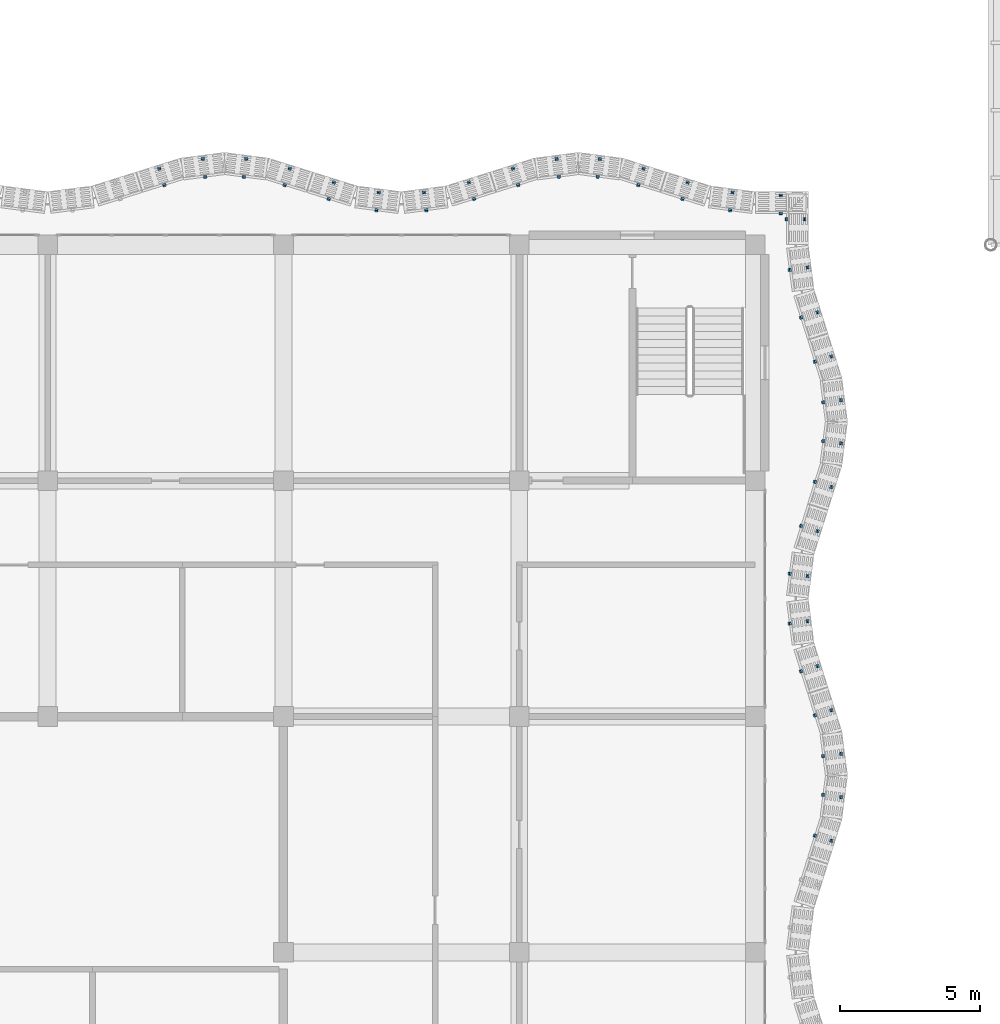
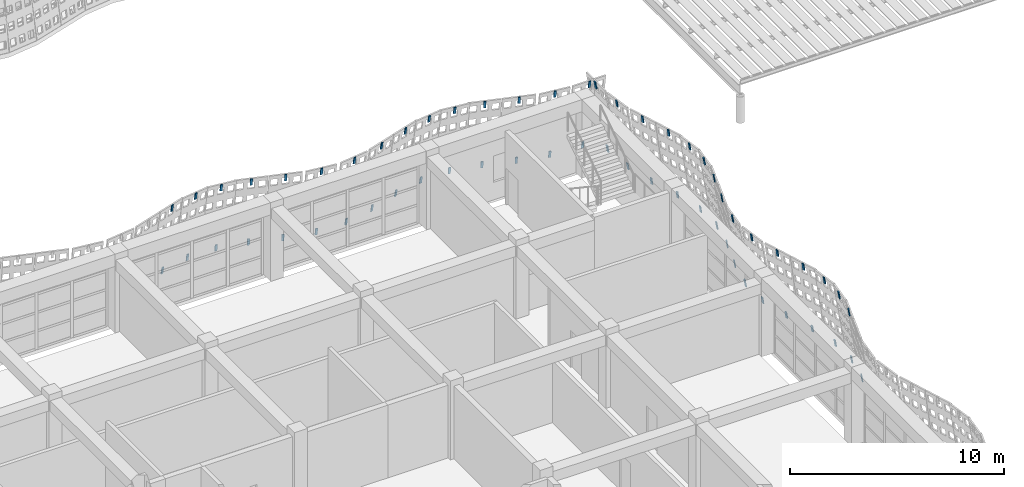
# One storey, part 103 of 162: 60 discrete accessories.
"""IFC4 building model written with IfcOpenShell, lengths in metres."""

from ifc_helpers import new_model, si_unit, direction, frame, origin, origin_2d, place, context, subcontext, project, spatial, rectangle, extrude, material, material_profile, profile_set, type_object, element, save


model = new_model("IFC4")

# Units and contexts
model_context = context("Model", 3, precision=1e-05, world=origin(), true_north=direction((0.0, 1.0)))
body_context = subcontext(model_context, "Body", "Model", "MODEL_VIEW")
ifc_project = project(units=[si_unit("LENGTHUNIT", "METRE"), si_unit("AREAUNIT", "SQUARE_METRE"), si_unit("VOLUMEUNIT", "CUBIC_METRE"), si_unit("PLANEANGLEUNIT", "RADIAN"), si_unit("MASSUNIT", "GRAM", prefix="KILO")], contexts=[model_context])

# Site, building, storey
site_placement = place(None, origin())
site = spatial("IfcSite", under=ifc_project, at=site_placement, CompositionType="ELEMENT")
building_placement = place(site_placement, origin())
building = spatial("IfcBuilding", under=site, at=building_placement, Name="Rain Tree Exposition and Congress Centre", CompositionType="ELEMENT")
storey_placement = place(building_placement, frame((0.0, 0.0, 6.0)))
storey = spatial("IfcBuildingStorey", under=building, at=storey_placement, Name="L01", CompositionType="ELEMENT", Elevation=6.0)

# Discrete accessories
ifc_material = material(Name="Steel S355J2", Category="steel")
ifc_material_profile = material_profile(ifc_material, rectangle(XDim=0.1201171875, YDim=0.050048828125, at=origin_2d()), Name="Flat bar 120x50")
ifc_profile_set = profile_set([ifc_material_profile], Name="Steel S355J2")
discrete_accessory_type = type_object("IfcDiscreteAccessoryType", Name="Screen bracket 120x50", PredefinedType="BRACKET", material=ifc_profile_set)
discrete_accessory_1_placement = place(storey_placement, frame((52.5595703125, 29.35009765625, 3.85107421875), z_axis=(-0.150738237635, 0.047601548727, 0.987426997946), x_axis=(-0.301131367937, -0.953582665134, 0.0)))
element("IfcDiscreteAccessory", 1, at=discrete_accessory_1_placement, inside=storey, type_object=discrete_accessory_type, Name="wing/bracket/L01/0531t", PredefinedType="BRACKET", context=body_context, shape_type="SweptSolid", body=[
    extrude(rectangle(XDim=0.1201171875, YDim=0.050048828125, at=origin_2d()), origin(), (0.0, 0.0, 1.0), 0.400146484375),
])
for number, where, z_axis, x_axis, name in (
    (2, (53.146484375, 29.16552734375, 0.00390625), (-0.150141745877, 0.047605919425, 0.987517661908), (-0.302243860734, -0.953230637699, 0.0), "wing/bracket/L01/0531b"),
    (3, (52.85888671875, 30.806884765625, 3.851318359375), (-0.162381270396, 0.021365956631, 0.986496740452), (-0.130454512571, -0.991454295543, 0.0), "wing/bracket/L01/0541t"),
    (4, (53.493408203125, 30.724365234375, 0.004150390625), (-0.162975541524, 0.021363835031, 0.986398783159), (-0.129974188098, -0.991517377774, 0.0), "wing/bracket/L01/0541b"),
    (5, (52.85888671875, 32.193115234375, 3.851318359375), (-0.162381270396, -0.021365956631, 0.986496740452), (0.130454512571, -0.991454295543, 0.0), "wing/bracket/L01/0551t"),
    (6, (53.493408203125, 32.275634765625, 0.004150390625), (-0.162975541524, -0.021363835031, 0.986398783159), (0.129974188098, -0.991517377774, 0.0), "wing/bracket/L01/0551b"),
):
    element("IfcDiscreteAccessory", number, at=place(storey_placement, frame(where, z_axis=z_axis, x_axis=x_axis)), inside=storey, type_object=discrete_accessory_type, Name=name, PredefinedType="BRACKET", context=body_context, shape_type="SweptSolid", body=[
        extrude(rectangle(XDim=0.1201171875, YDim=0.050048828125, at=origin_2d()), origin(), (0.0, 0.0, 1.0), 0.39990234375),
    ])
discrete_accessory_2_placement = place(storey_placement, frame((52.5595703125, 33.64990234375, 3.85107421875), z_axis=(-0.150738237635, -0.047601548727, 0.987426997946), x_axis=(0.301131367937, -0.953582665134, 0.0)))
element("IfcDiscreteAccessory", 7, at=discrete_accessory_2_placement, inside=storey, type_object=discrete_accessory_type, Name="wing/bracket/L01/0561t", PredefinedType="BRACKET", context=body_context, shape_type="SweptSolid", body=[
    extrude(rectangle(XDim=0.1201171875, YDim=0.050048828125, at=origin_2d()), origin(), (0.0, 0.0, 1.0), 0.400146484375),
])
for number, where, z_axis, x_axis, name in (
    (8, (53.146484375, 33.83447265625, 0.00390625), (-0.150141745877, -0.047605919425, 0.987517661908), (0.302243860734, -0.953230637699, 0.0), "wing/bracket/L01/0561b"),
    (9, (52.0654296875, 35.221435546875, 3.85107421875), (-0.150146080534, -0.046996943907, 0.987546171966), (0.298716747751, -0.954341817491, 0.0), "wing/bracket/L01/0571t"),
):
    element("IfcDiscreteAccessory", number, at=place(storey_placement, frame(where, z_axis=z_axis, x_axis=x_axis)), inside=storey, type_object=discrete_accessory_type, Name=name, PredefinedType="BRACKET", context=body_context, shape_type="SweptSolid", body=[
        extrude(rectangle(XDim=0.1201171875, YDim=0.050048828125, at=origin_2d()), origin(), (0.0, 0.0, 1.0), 0.39990234375),
    ])
discrete_accessory_3_placement = place(storey_placement, frame((52.652587890625, 35.406005859375, 0.00390625), z_axis=(-0.150742588713, -0.04699262887, 0.987455500152), x_axis=(0.297614686764, -0.954686073127, 0.0)))
element("IfcDiscreteAccessory", 10, at=discrete_accessory_3_placement, inside=storey, type_object=discrete_accessory_type, Name="wing/bracket/L01/0571b", PredefinedType="BRACKET", context=body_context, shape_type="SweptSolid", body=[
    extrude(rectangle(XDim=0.1201171875, YDim=0.050048828125, at=origin_2d()), origin(), (0.0, 0.0, 1.0), 0.400146484375),
])
for number, where, z_axis, x_axis, name in (
    (11, (51.664306640625, 36.91650390625, 3.851318359375), (-0.162975541524, -0.021363835031, 0.986398783159), (0.129974188098, -0.991517377774, 0.0), "wing/bracket/L01/0581t"),
    (12, (52.298583984375, 36.998779296875, 0.004150390625), (-0.162977636468, -0.020753706516, 0.986411462665), (0.12632075382, -0.991989449114, 0.0), "wing/bracket/L01/0581b"),
    (13, (51.664306640625, 38.68359375, 3.851318359375), (-0.162975541524, 0.021363835031, 0.986398783159), (-0.129974188098, -0.991517377774, 0.0), "wing/bracket/L01/0591t"),
    (14, (52.298583984375, 38.60107421875, 0.004150390625), (-0.162975541524, 0.021363835031, 0.986398783159), (-0.129974188098, -0.991517377774, 0.0), "wing/bracket/L01/0591b"),
    (15, (52.0654296875, 40.37841796875, 3.85107421875), (-0.150141745877, 0.047605919425, 0.987517661908), (-0.302243860734, -0.953230637699, 0.0), "wing/bracket/L01/0601t"),
):
    element("IfcDiscreteAccessory", number, at=place(storey_placement, frame(where, z_axis=z_axis, x_axis=x_axis)), inside=storey, type_object=discrete_accessory_type, Name=name, PredefinedType="BRACKET", context=body_context, shape_type="SweptSolid", body=[
        extrude(rectangle(XDim=0.1201171875, YDim=0.050048828125, at=origin_2d()), origin(), (0.0, 0.0, 1.0), 0.39990234375),
    ])
for number, where, z_axis, x_axis, name in (
    (16, (52.652587890625, 40.194091796875, 0.00390625), (-0.150742588713, 0.04699262887, 0.987455500152), (-0.297614686764, -0.954686073127, 0.0), "wing/bracket/L01/0601b"),
    (17, (52.5595703125, 41.9501953125, 3.85107421875), (-0.150742588713, 0.04699262887, 0.987455500152), (-0.297614686764, -0.954686073127, 0.0), "wing/bracket/L01/0611t"),
):
    element("IfcDiscreteAccessory", number, at=place(storey_placement, frame(where, z_axis=z_axis, x_axis=x_axis)), inside=storey, type_object=discrete_accessory_type, Name=name, PredefinedType="BRACKET", context=body_context, shape_type="SweptSolid", body=[
        extrude(rectangle(XDim=0.1201171875, YDim=0.050048828125, at=origin_2d()), origin(), (0.0, 0.0, 1.0), 0.400146484375),
    ])
for number, where, z_axis, x_axis, name in (
    (18, (53.146484375, 41.765625, 0.00390625), (-0.150141745877, 0.047605919425, 0.987517661908), (-0.302243860734, -0.953230637699, 0.0), "wing/bracket/L01/0611b"),
    (19, (52.85888671875, 43.406982421875, 3.851318359375), (-0.162383358115, 0.020755767579, 0.986509423736), (-0.126788023985, -0.991929834703, 0.0), "wing/bracket/L01/0621t"),
    (20, (53.493408203125, 43.324462890625, 0.004150390625), (-0.162975541524, 0.021363835031, 0.986398783159), (-0.129974188098, -0.991517377774, 0.0), "wing/bracket/L01/0621b"),
    (21, (52.85888671875, 44.79296875, 3.851318359375), (-0.162383358115, -0.020755767579, 0.986509423736), (0.126788023985, -0.991929834703, 0.0), "wing/bracket/L01/0631t"),
    (22, (53.493408203125, 44.87548828125, 0.004150390625), (-0.162977636468, -0.020753706516, 0.986411462665), (0.12632075382, -0.991989449114, 0.0), "wing/bracket/L01/0631b"),
):
    element("IfcDiscreteAccessory", number, at=place(storey_placement, frame(where, z_axis=z_axis, x_axis=x_axis)), inside=storey, type_object=discrete_accessory_type, Name=name, PredefinedType="BRACKET", context=body_context, shape_type="SweptSolid", body=[
        extrude(rectangle(XDim=0.1201171875, YDim=0.050048828125, at=origin_2d()), origin(), (0.0, 0.0, 1.0), 0.39990234375),
    ])
discrete_accessory_4_placement = place(storey_placement, frame((52.5595703125, 46.25, 3.85107421875), z_axis=(-0.150738237635, -0.047601548727, 0.987426997946), x_axis=(0.301131367937, -0.953582665134, 0.0)))
element("IfcDiscreteAccessory", 23, at=discrete_accessory_4_placement, inside=storey, type_object=discrete_accessory_type, Name="wing/bracket/L01/0641t", PredefinedType="BRACKET", context=body_context, shape_type="SweptSolid", body=[
    extrude(rectangle(XDim=0.1201171875, YDim=0.050048828125, at=origin_2d()), origin(), (0.0, 0.0, 1.0), 0.400146484375),
])
for number, where, z_axis, x_axis, name in (
    (24, (53.146484375, 46.434326171875, 0.00390625), (-0.150141745877, -0.047605919425, 0.987517661908), (0.302243860734, -0.953230637699, 0.0), "wing/bracket/L01/0641b"),
    (25, (52.0654296875, 47.821533203125, 3.85107421875), (-0.150141745877, -0.047605919425, 0.987517661908), (0.302243860734, -0.953230637699, 0.0), "wing/bracket/L01/0651t"),
):
    element("IfcDiscreteAccessory", number, at=place(storey_placement, frame(where, z_axis=z_axis, x_axis=x_axis)), inside=storey, type_object=discrete_accessory_type, Name=name, PredefinedType="BRACKET", context=body_context, shape_type="SweptSolid", body=[
        extrude(rectangle(XDim=0.1201171875, YDim=0.050048828125, at=origin_2d()), origin(), (0.0, 0.0, 1.0), 0.39990234375),
    ])
discrete_accessory_5_placement = place(storey_placement, frame((52.652587890625, 48.006103515625, 0.00390625), z_axis=(-0.150738237635, -0.047601548727, 0.987426997946), x_axis=(0.301131367937, -0.953582665134, 0.0)))
element("IfcDiscreteAccessory", 26, at=discrete_accessory_5_placement, inside=storey, type_object=discrete_accessory_type, Name="wing/bracket/L01/0651b", PredefinedType="BRACKET", context=body_context, shape_type="SweptSolid", body=[
    extrude(rectangle(XDim=0.1201171875, YDim=0.050048828125, at=origin_2d()), origin(), (0.0, 0.0, 1.0), 0.400146484375),
])
for number, where, z_axis, x_axis, name in (
    (27, (51.664306640625, 49.516357421875, 3.851318359375), (-0.162975541524, -0.021363835031, 0.986398783159), (0.129974188098, -0.991517377774, 0.0), "wing/bracket/L01/0661t"),
    (28, (52.298583984375, 49.598876953125, 0.004150390625), (-0.162977636468, -0.020753706516, 0.986411462665), (0.12632075382, -0.991989449114, 0.0), "wing/bracket/L01/0661b"),
):
    element("IfcDiscreteAccessory", number, at=place(storey_placement, frame(where, z_axis=z_axis, x_axis=x_axis)), inside=storey, type_object=discrete_accessory_type, Name=name, PredefinedType="BRACKET", context=body_context, shape_type="SweptSolid", body=[
        extrude(rectangle(XDim=0.1201171875, YDim=0.050048828125, at=origin_2d()), origin(), (0.0, 0.0, 1.0), 0.39990234375),
    ])
for number, where, z_axis, x_axis, name in (
    (29, (51.550048828125, 51.310302734375, 3.851318359375), (-0.165388563864, 0.0, 0.986228484147), (0.0, -1.0, 0.0), "wing/bracket/L01/0671t"),
    (30, (52.1953125, 51.310302734375, 0.004150390625), (-0.16598207031, 0.0, 0.986128770666), (0.0, -1.0, 0.0), "wing/bracket/L01/0671b"),
    (31, (51.310302734375, 51.550048828125, 3.851318359375), (0.0, -0.165388563864, 0.986228484147), (1.0, 0.0, 0.0), "wing/bracket/L01/0681t"),
    (32, (51.310302734375, 52.1953125, 0.004150390625), (0.0, -0.16598207031, 0.986128770666), (1.0, 0.0, 0.0), "wing/bracket/L01/0681b"),
):
    element("IfcDiscreteAccessory", number, at=place(storey_placement, frame(where, z_axis=z_axis, x_axis=x_axis)), inside=storey, type_object=discrete_accessory_type, Name=name, PredefinedType="BRACKET", context=body_context, shape_type="SweptSolid", body=[
        extrude(rectangle(XDim=0.1201171875, YDim=0.050048828125, at=origin_2d()), origin(), (0.0, 0.0, 1.0), 0.400146484375),
    ])
for number, where, z_axis, x_axis, name in (
    (33, (49.516357421875, 51.664306640625, 3.851318359375), (-0.021363835031, -0.162975541524, 0.986398783159), (0.991517377774, -0.129974188098, 0.0), "wing/bracket/L01/0691t"),
    (34, (49.598876953125, 52.298583984375, 0.004150390625), (-0.020753706516, -0.162977636468, 0.986411462665), (0.991989449114, -0.12632075382, 0.0), "wing/bracket/L01/0691b"),
    (35, (47.821533203125, 52.0654296875, 3.85107421875), (-0.047605919425, -0.150141745877, 0.987517661908), (0.953230637699, -0.302243860734, 0.0), "wing/bracket/L01/0701t"),
):
    element("IfcDiscreteAccessory", number, at=place(storey_placement, frame(where, z_axis=z_axis, x_axis=x_axis)), inside=storey, type_object=discrete_accessory_type, Name=name, PredefinedType="BRACKET", context=body_context, shape_type="SweptSolid", body=[
        extrude(rectangle(XDim=0.1201171875, YDim=0.050048828125, at=origin_2d()), origin(), (0.0, 0.0, 1.0), 0.39990234375),
    ])
for number, where, z_axis, x_axis, name in (
    (36, (48.006103515625, 52.652587890625, 0.00390625), (-0.047601548727, -0.150738237635, 0.987426997946), (0.953582665134, -0.301131367937, 0.0), "wing/bracket/L01/0701b"),
    (37, (46.25, 52.5595703125, 3.85107421875), (-0.047601548727, -0.150738237635, 0.987426997946), (0.953582665134, -0.301131367937, 0.0), "wing/bracket/L01/0711t"),
):
    element("IfcDiscreteAccessory", number, at=place(storey_placement, frame(where, z_axis=z_axis, x_axis=x_axis)), inside=storey, type_object=discrete_accessory_type, Name=name, PredefinedType="BRACKET", context=body_context, shape_type="SweptSolid", body=[
        extrude(rectangle(XDim=0.1201171875, YDim=0.050048828125, at=origin_2d()), origin(), (0.0, 0.0, 1.0), 0.400146484375),
    ])
for number, where, z_axis, x_axis, name in (
    (38, (46.434326171875, 53.146484375, 0.00390625), (-0.047605919425, -0.150141745877, 0.987517661908), (0.953230637699, -0.302243860734, 0.0), "wing/bracket/L01/0711b"),
    (39, (44.79296875, 52.85888671875, 3.851318359375), (-0.020755767579, -0.162383358115, 0.986509423736), (0.991929834703, -0.126788023985, 0.0), "wing/bracket/L01/0721t"),
    (40, (44.87548828125, 53.493408203125, 0.004150390625), (-0.020753706516, -0.162977636468, 0.986411462665), (0.991989449114, -0.12632075382, 0.0), "wing/bracket/L01/0721b"),
    (41, (43.406982421875, 52.85888671875, 3.851318359375), (0.020755767579, -0.162383358115, 0.986509423736), (0.991929834703, 0.126788023985, 0.0), "wing/bracket/L01/0731t"),
    (42, (43.324462890625, 53.493408203125, 0.004150390625), (0.021363835031, -0.162975541524, 0.986398783159), (0.991517377774, 0.129974188098, 0.0), "wing/bracket/L01/0731b"),
):
    element("IfcDiscreteAccessory", number, at=place(storey_placement, frame(where, z_axis=z_axis, x_axis=x_axis)), inside=storey, type_object=discrete_accessory_type, Name=name, PredefinedType="BRACKET", context=body_context, shape_type="SweptSolid", body=[
        extrude(rectangle(XDim=0.1201171875, YDim=0.050048828125, at=origin_2d()), origin(), (0.0, 0.0, 1.0), 0.39990234375),
    ])
discrete_accessory_6_placement = place(storey_placement, frame((41.9501953125, 52.5595703125, 3.85107421875), z_axis=(0.04699262887, -0.150742588713, 0.987455500152), x_axis=(0.954686073127, 0.297614686764, 0.0)))
element("IfcDiscreteAccessory", 43, at=discrete_accessory_6_placement, inside=storey, type_object=discrete_accessory_type, Name="wing/bracket/L01/0741t", PredefinedType="BRACKET", context=body_context, shape_type="SweptSolid", body=[
    extrude(rectangle(XDim=0.1201171875, YDim=0.050048828125, at=origin_2d()), origin(), (0.0, 0.0, 1.0), 0.400146484375),
])
for number, where, z_axis, x_axis, name in (
    (44, (41.765625, 53.146484375, 0.00390625), (0.047605919425, -0.150141745877, 0.987517661908), (0.953230637699, 0.302243860734, 0.0), "wing/bracket/L01/0741b"),
    (45, (40.37841796875, 52.0654296875, 3.85107421875), (0.047605919425, -0.150141745877, 0.987517661908), (0.953230637699, 0.302243860734, 0.0), "wing/bracket/L01/0751t"),
):
    element("IfcDiscreteAccessory", number, at=place(storey_placement, frame(where, z_axis=z_axis, x_axis=x_axis)), inside=storey, type_object=discrete_accessory_type, Name=name, PredefinedType="BRACKET", context=body_context, shape_type="SweptSolid", body=[
        extrude(rectangle(XDim=0.1201171875, YDim=0.050048828125, at=origin_2d()), origin(), (0.0, 0.0, 1.0), 0.39990234375),
    ])
discrete_accessory_7_placement = place(storey_placement, frame((40.194091796875, 52.652587890625, 0.00390625), z_axis=(0.04699262887, -0.150742588713, 0.987455500152), x_axis=(0.954686073127, 0.297614686764, 0.0)))
element("IfcDiscreteAccessory", 46, at=discrete_accessory_7_placement, inside=storey, type_object=discrete_accessory_type, Name="wing/bracket/L01/0751b", PredefinedType="BRACKET", context=body_context, shape_type="SweptSolid", body=[
    extrude(rectangle(XDim=0.1201171875, YDim=0.050048828125, at=origin_2d()), origin(), (0.0, 0.0, 1.0), 0.400146484375),
])
for number, where, z_axis, x_axis, name in (
    (47, (38.68359375, 51.664306640625, 3.851318359375), (0.021363835031, -0.162975541524, 0.986398783159), (0.991517377774, 0.129974188098, 0.0), "wing/bracket/L01/0761t"),
    (48, (38.60107421875, 52.298583984375, 0.004150390625), (0.021363835031, -0.162975541524, 0.986398783159), (0.991517377774, 0.129974188098, 0.0), "wing/bracket/L01/0761b"),
    (49, (36.91650390625, 51.664306640625, 3.851318359375), (-0.021363835031, -0.162975541524, 0.986398783159), (0.991517377774, -0.129974188098, 0.0), "wing/bracket/L01/0771t"),
    (50, (36.998779296875, 52.298583984375, 0.004150390625), (-0.020753706516, -0.162977636468, 0.986411462665), (0.991989449114, -0.12632075382, 0.0), "wing/bracket/L01/0771b"),
    (51, (35.221435546875, 52.0654296875, 3.85107421875), (-0.046996943907, -0.150146080534, 0.987546171966), (0.954341817491, -0.298716747751, 0.0), "wing/bracket/L01/0781t"),
):
    element("IfcDiscreteAccessory", number, at=place(storey_placement, frame(where, z_axis=z_axis, x_axis=x_axis)), inside=storey, type_object=discrete_accessory_type, Name=name, PredefinedType="BRACKET", context=body_context, shape_type="SweptSolid", body=[
        extrude(rectangle(XDim=0.1201171875, YDim=0.050048828125, at=origin_2d()), origin(), (0.0, 0.0, 1.0), 0.39990234375),
    ])
for number, where, z_axis, x_axis, name in (
    (52, (35.406005859375, 52.652587890625, 0.00390625), (-0.04699262887, -0.150742588713, 0.987455500152), (0.954686073127, -0.297614686764, 0.0), "wing/bracket/L01/0781b"),
    (53, (33.64990234375, 52.5595703125, 3.85107421875), (-0.047601548727, -0.150738237635, 0.987426997946), (0.953582665134, -0.301131367937, 0.0), "wing/bracket/L01/0791t"),
):
    element("IfcDiscreteAccessory", number, at=place(storey_placement, frame(where, z_axis=z_axis, x_axis=x_axis)), inside=storey, type_object=discrete_accessory_type, Name=name, PredefinedType="BRACKET", context=body_context, shape_type="SweptSolid", body=[
        extrude(rectangle(XDim=0.1201171875, YDim=0.050048828125, at=origin_2d()), origin(), (0.0, 0.0, 1.0), 0.400146484375),
    ])
for number, where, z_axis, x_axis, name in (
    (54, (33.83447265625, 53.146484375, 0.00390625), (-0.047605919425, -0.150141745877, 0.987517661908), (0.953230637699, -0.302243860734, 0.0), "wing/bracket/L01/0791b"),
    (55, (32.193115234375, 52.85888671875, 3.851318359375), (-0.021365956631, -0.162381270396, 0.986496740452), (0.991454295543, -0.130454512571, 0.0), "wing/bracket/L01/0801t"),
    (56, (32.275634765625, 53.493408203125, 0.004150390625), (-0.021363835031, -0.162975541524, 0.986398783159), (0.991517377774, -0.129974188098, 0.0), "wing/bracket/L01/0801b"),
    (57, (30.806884765625, 52.85888671875, 3.851318359375), (0.021365956631, -0.162381270396, 0.986496740452), (0.991454295543, 0.130454512571, 0.0), "wing/bracket/L01/0811t"),
    (58, (30.724365234375, 53.493408203125, 0.004150390625), (0.021363835031, -0.162975541524, 0.986398783159), (0.991517377774, 0.129974188098, 0.0), "wing/bracket/L01/0811b"),
):
    element("IfcDiscreteAccessory", number, at=place(storey_placement, frame(where, z_axis=z_axis, x_axis=x_axis)), inside=storey, type_object=discrete_accessory_type, Name=name, PredefinedType="BRACKET", context=body_context, shape_type="SweptSolid", body=[
        extrude(rectangle(XDim=0.1201171875, YDim=0.050048828125, at=origin_2d()), origin(), (0.0, 0.0, 1.0), 0.39990234375),
    ])
discrete_accessory_8_placement = place(storey_placement, frame((29.35009765625, 52.5595703125, 3.85107421875), z_axis=(0.047601548727, -0.150738237635, 0.987426997946), x_axis=(0.953582665134, 0.301131367937, 0.0)))
element("IfcDiscreteAccessory", 59, at=discrete_accessory_8_placement, inside=storey, type_object=discrete_accessory_type, Name="wing/bracket/L01/0821t", PredefinedType="BRACKET", context=body_context, shape_type="SweptSolid", body=[
    extrude(rectangle(XDim=0.1201171875, YDim=0.050048828125, at=origin_2d()), origin(), (0.0, 0.0, 1.0), 0.400146484375),
])
discrete_accessory_9_placement = place(storey_placement, frame((29.16552734375, 53.146484375, 0.00390625), z_axis=(0.047605919425, -0.150141745877, 0.987517661908), x_axis=(0.953230637699, 0.302243860734, 0.0)))
element("IfcDiscreteAccessory", 60, at=discrete_accessory_9_placement, inside=storey, type_object=discrete_accessory_type, Name="wing/bracket/L01/0821b", PredefinedType="BRACKET", context=body_context, shape_type="SweptSolid", body=[
    extrude(rectangle(XDim=0.1201171875, YDim=0.050048828125, at=origin_2d()), origin(), (0.0, 0.0, 1.0), 0.39990234375),
])

save(model, "model.ifc")
